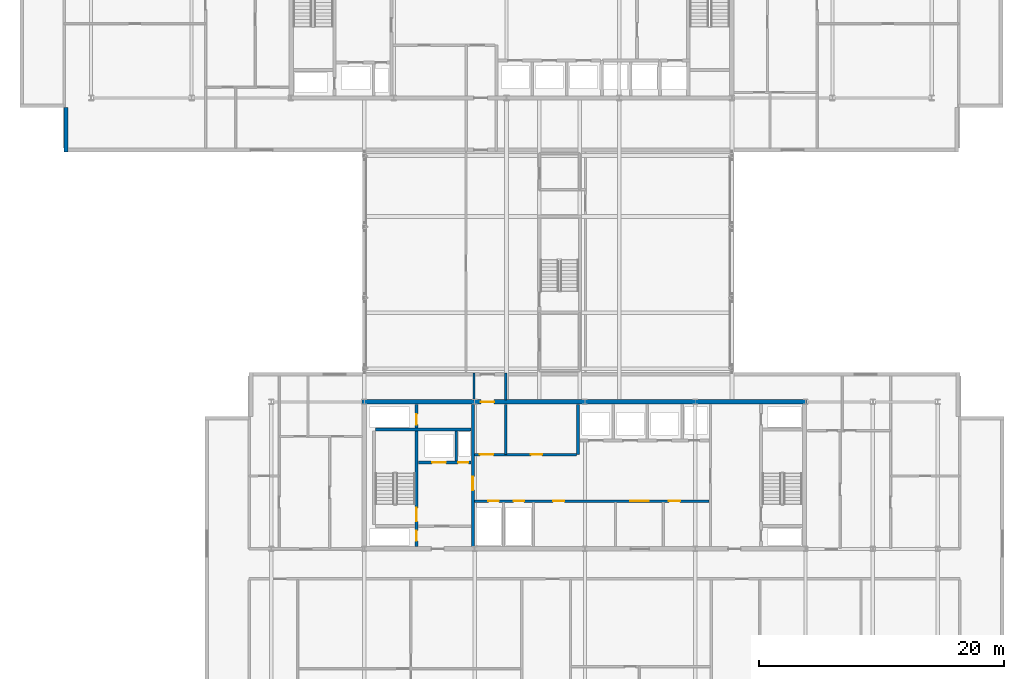
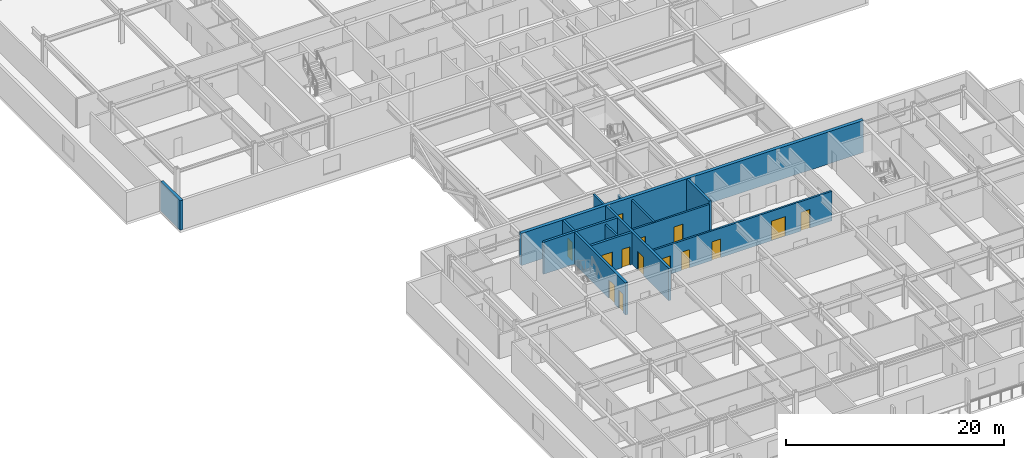
# One storey, part 20 of 36: 14 doors, 13 walls, 14 openings.
"""IFC4 building model written with IfcOpenShell, lengths in metres."""

from ifc_helpers import new_model, si_unit, direction, frame, frame_2d, origin, place, context, subcontext, project, spatial, rectangle, extrude, material, layer, layer_set, type_object, element, fill, save


model = new_model("IFC4")

# Units and contexts
model_context = context("Model", 3, precision=1e-05, world=origin(), true_north=direction((0.0, 1.0)))
body_context = subcontext(model_context, "Body", "Model", "MODEL_VIEW")
ifc_project = project(units=[si_unit("LENGTHUNIT", "METRE"), si_unit("AREAUNIT", "SQUARE_METRE"), si_unit("VOLUMEUNIT", "CUBIC_METRE"), si_unit("PLANEANGLEUNIT", "RADIAN"), si_unit("MASSUNIT", "GRAM", prefix="KILO")], contexts=[model_context])

# Site, building, storey
site_placement = place(None, origin())
site = spatial("IfcSite", under=ifc_project, at=site_placement, CompositionType="ELEMENT")
building_placement = place(site_placement, origin())
building = spatial("IfcBuilding", under=site, at=building_placement, Name="Korimba Cascade Residences", CompositionType="ELEMENT")
storey_placement = place(building_placement, frame((0.0, 0.0, 142.89990234375)))
storey = spatial("IfcBuildingStorey", under=building, at=storey_placement, Name="L41", CompositionType="ELEMENT", Elevation=142.89990234375)

# Wall
ifc_material_1 = material(Name="Precast concrete C40/50", Category="concrete")
ifc_layer_1 = layer(ifc_material_1, 0.300048828125)
ifc_layer_set_1 = layer_set([ifc_layer_1], Name="Precast concrete C40/50")
wall_type_1 = type_object("IfcWallType", Name="EW-STONE-300", PredefinedType="STANDARD", material=ifc_layer_set_1)
wall_1_placement = place(storey_placement, frame((57.75, 54.39990234375, 0.0), z_axis=(0.0, 0.0, 1.0), x_axis=(0.0, -1.0, 0.0)))
element("IfcWall", 1, at=wall_1_placement, inside=storey, type_object=wall_type_1, Name="L41 T1 Perimeter Stone Wall E11", PredefinedType="STANDARD", context=body_context, shape_type="SweptSolid", body=[
    extrude(rectangle(XDim=3.599853515625, YDim=0.300048828125, at=frame_2d((1.7998046875, 0.0))), origin(), (0.0, 0.0, 1.0), 3.31005859375),
])

# Wall, opening, door
ifc_material_2 = material(Name="Concrete C65/80", Category="concrete")
ifc_layer_2 = layer(ifc_material_2, 0.35009765625)
ifc_layer_set_2 = layer_set([ifc_layer_2], Name="Concrete C65/80")
wall_type_2 = type_object("IfcWallType", Name="WAL-CORE-350", PredefinedType="SHEAR", material=ifc_layer_set_2)
wall_2_placement = place(storey_placement, frame((81.925048828125, 30.39990234375, 0.0), z_axis=(0.0, 0.0, 1.0), x_axis=(1.0, 0.0, 0.0)))
wall_2 = element("IfcWall", 2, at=wall_2_placement, inside=storey, type_object=wall_type_2, Name="L41 Core Shear Wall CW-L41-T2-N", PredefinedType="SHEAR", context=body_context, shape_type="SweptSolid", body=[
    extrude(rectangle(XDim=36.264892578125, YDim=0.35009765625, at=frame_2d((18.13232421875, 0.0))), origin(), (0.0, 0.0, 1.0), 3.60009765625),
])
opening_1_placement = place(wall_2_placement, frame((9.675048828125, 0.0, 0.0)))
opening_1 = element("IfcOpeningElement", 3, at=opening_1_placement, cuts=wall_2, Name="Opening D-FD1", PredefinedType="OPENING", context=body_context, shape_type="SweptSolid", body=[
    extrude(rectangle(XDim=1.10009765625, YDim=2.10009765625, at=frame_2d((0.550048828125, 1.050048828125))), frame((0.0, 0.18505859375, 0.0), z_axis=(0.0, -1.0, 0.0), x_axis=(1.0, 0.0, 0.0)), (0.0, 0.0, 1.0), 0.3701171875),
])
ifc_material_3 = material(Name="Fire-Rated Steel Core Door", Category="steel")
door_type_1 = type_object("IfcDoorType", Name="DR-FD120-1100", OperationType="NOTDEFINED", PredefinedType="DOOR", material=ifc_material_3)
door_1_placement = place(opening_1_placement, origin())
door_1 = element("IfcDoor", 4, at=door_1_placement, inside=storey, type_object=door_type_1, Name="L41 Skybridge to T2 Core Fire Door", OperationType="SINGLE_SWING_LEFT", OverallHeight=2.10009765625, OverallWidth=1.10009765625, PredefinedType="DOOR", context=body_context, shape_type="SweptSolid", body=[
    extrude(rectangle(XDim=1.10009765625, YDim=2.10009765625, at=frame_2d((0.550048828125, 1.050048828125))), frame((0.0, 0.02490234375, 0.0), z_axis=(0.0, -1.0, 0.0), x_axis=(1.0, 0.0, 0.0)), (0.0, 0.0, 1.0), 0.050048828125),
])
fill(opening_1, door_1)

# Walls
ifc_material_4 = material(Name="Concrete C40/50", Category="concrete")
ifc_layer_3 = layer(ifc_material_4, 0.199951171875)
ifc_layer_set_3 = layer_set([ifc_layer_3], Name="Concrete C40/50")
wall_type_3 = type_object("IfcWallType", Name="WAL-PART-200", PredefinedType="PARTITIONING", material=ifc_layer_set_3)
wall_3_placement = place(storey_placement, frame((89.60009765625, 25.580078125, 0.0), z_axis=(0.0, 0.0, 1.0), x_axis=(0.0, 1.0, 0.0)))
element("IfcWall", 5, at=wall_3_placement, inside=storey, type_object=wall_type_3, Name="L41 Partition Wall CW-L41-T2-FFLDIV", PredefinedType="PARTITIONING", context=body_context, shape_type="SweptSolid", body=[
    extrude(rectangle(XDim=2.419921875, YDim=0.199951171875, at=frame_2d((1.2099609375, 0.0))), origin(), (0.0, 0.0, 1.0), 3.31005859375),
])
wall_4_placement = place(storey_placement, frame((93.64990234375, 26.10009765625, 0.0), z_axis=(0.0, 0.0, 1.0), x_axis=(0.0, 1.0, 0.0)))
element("IfcWall", 6, at=wall_4_placement, inside=storey, type_object=wall_type_3, Name="L41 Partition Wall CW-L41-T2-BRGPD", PredefinedType="PARTITIONING", context=body_context, shape_type="SweptSolid", body=[
    extrude(rectangle(XDim=4.099853515625, YDim=0.199951171875, at=frame_2d((2.0498046875, 0.0))), origin(), (0.0, 0.0, 1.0), 3.31005859375),
])

# Wall, openings, doors
wall_5_placement = place(storey_placement, frame((91.080078125, 26.10009765625, 0.0), z_axis=(0.0, 0.0, 1.0), x_axis=(1.0, 0.0, 0.0)))
wall_5 = element("IfcWall", 7, at=wall_5_placement, inside=storey, type_object=wall_type_3, Name="L41 Partition Wall CW-L41-T2-B1RS", PredefinedType="PARTITIONING", context=body_context, shape_type="SweptSolid", body=[
    extrude(rectangle(XDim=8.33984375, YDim=0.199951171875, at=frame_2d((4.169921875, 0.0))), origin(), (0.0, 0.0, 1.0), 3.31005859375),
])
opening_2_placement = place(wall_5_placement, frame((0.449951171875, 0.0, 0.0)))
opening_2 = element("IfcOpeningElement", 8, at=opening_2_placement, cuts=wall_5, Name="Opening D-FD1", PredefinedType="OPENING", context=body_context, shape_type="SweptSolid", body=[
    extrude(rectangle(XDim=1.10009765625, YDim=2.10009765625, at=frame_2d((0.550048828125, 1.050048828125))), frame((0.0, 0.10986328125, 0.0), z_axis=(0.0, -1.0, 0.0), x_axis=(1.0, 0.0, 0.0)), (0.0, 0.0, 1.0), 0.219970703125),
])
opening_3_placement = place(wall_5_placement, frame((4.60009765625, 0.0, 0.0)))
opening_3 = element("IfcOpeningElement", 9, at=opening_3_placement, cuts=wall_5, Name="Opening D-ST1", PredefinedType="OPENING", context=body_context, shape_type="SweptSolid", body=[
    extrude(rectangle(XDim=0.919921875, YDim=2.080078125, at=frame_2d((0.4599609375, 1.0400390625))), frame((0.0, 0.10986328125, 0.0), z_axis=(0.0, -1.0, 0.0), x_axis=(1.0, 0.0, 0.0)), (0.0, 0.0, 1.0), 0.219970703125),
])
door_2_placement = place(opening_2_placement, origin())
door_2 = element("IfcDoor", 10, at=door_2_placement, inside=storey, type_object=door_type_1, Name="L41 Skybridge Vestibule to T2 Lift Lobby Door", OperationType="SINGLE_SWING_RIGHT", OverallHeight=2.10009765625, OverallWidth=1.10009765625, PredefinedType="DOOR", context=body_context, shape_type="SweptSolid", body=[
    extrude(rectangle(XDim=1.10009765625, YDim=2.10009765625, at=frame_2d((0.550048828125, 1.050048828125))), frame((0.0, 0.02490234375, 0.0), z_axis=(0.0, -1.0, 0.0), x_axis=(1.0, 0.0, 0.0)), (0.0, 0.0, 1.0), 0.050048828125),
])
fill(opening_2, door_2)
ifc_material_5 = material(Name="Fire-Rated Core Store Door", Category="wood")
door_type_2 = type_object("IfcDoorType", Name="DR-FD60-920", OperationType="NOTDEFINED", PredefinedType="DOOR", material=ifc_material_5)
door_3_placement = place(opening_3_placement, origin())
door_3 = element("IfcDoor", 11, at=door_3_placement, inside=storey, type_object=door_type_2, Name="L41 T2 Resident Storage Door", OperationType="SINGLE_SWING_LEFT", OverallHeight=2.080078125, OverallWidth=0.919921875, PredefinedType="DOOR", context=body_context, shape_type="SweptSolid", body=[
    extrude(rectangle(XDim=0.919921875, YDim=2.080078125, at=frame_2d((0.4599609375, 1.0400390625))), frame((0.0, 0.02490234375, 0.0), z_axis=(0.0, -1.0, 0.0), x_axis=(1.0, 0.0, 0.0)), (0.0, 0.0, 1.0), 0.050048828125),
])
fill(opening_3, door_3)

wall_6_placement = place(storey_placement, frame((91.080078125, 22.300048828125, 0.0), z_axis=(0.0, 0.0, 1.0), x_axis=(1.0, 0.0, 0.0)))
wall_6 = element("IfcWall", 12, at=wall_6_placement, inside=storey, type_object=wall_type_3, Name="L41 Partition Wall CW-L41-T2-SRVROW", PredefinedType="PARTITIONING", context=body_context, shape_type="SweptSolid", body=[
    extrude(rectangle(XDim=19.139892578125, YDim=0.199951171875, at=frame_2d((9.56982421875, 0.0))), origin(), (0.0, 0.0, 1.0), 3.31005859375),
])
opening_4_placement = place(wall_6_placement, frame((1.14990234375, 0.0, 0.0)))
opening_4 = element("IfcOpeningElement", 13, at=opening_4_placement, cuts=wall_6, Name="Opening D-RS1", PredefinedType="OPENING", context=body_context, shape_type="SweptSolid", body=[
    extrude(rectangle(XDim=0.85009765625, YDim=2.050048828125, at=frame_2d((0.425048828125, 1.02490234375))), frame((0.0, 0.10986328125, 0.0), z_axis=(0.0, -1.0, 0.0), x_axis=(1.0, 0.0, 0.0)), (0.0, 0.0, 1.0), 0.219970703125),
])
opening_5_placement = place(wall_6_placement, frame((3.199951171875, 0.0, 0.0)))
opening_5 = element("IfcOpeningElement", 14, at=opening_5_placement, cuts=wall_6, Name="Opening D-RS1", PredefinedType="OPENING", context=body_context, shape_type="SweptSolid", body=[
    extrude(rectangle(XDim=0.85009765625, YDim=2.050048828125, at=frame_2d((0.425048828125, 1.02490234375))), frame((0.0, 0.10986328125, 0.0), z_axis=(0.0, -1.0, 0.0), x_axis=(1.0, 0.0, 0.0)), (0.0, 0.0, 1.0), 0.219970703125),
])
opening_6_placement = place(wall_6_placement, frame((12.719970703125, 0.0, 0.0)))
opening_6 = element("IfcOpeningElement", 15, at=opening_6_placement, cuts=wall_6, Name="Opening D-FD8", PredefinedType="OPENING", context=body_context, shape_type="SweptSolid", body=[
    extrude(rectangle(XDim=1.5, YDim=2.199951171875, at=frame_2d((0.75, 1.10009765625))), frame((0.0, 0.10986328125, 0.0), z_axis=(0.0, -1.0, 0.0), x_axis=(1.0, 0.0, 0.0)), (0.0, 0.0, 1.0), 0.219970703125),
])
opening_7_placement = place(wall_6_placement, frame((6.419921875, 0.0, 0.0)))
opening_7 = element("IfcOpeningElement", 16, at=opening_7_placement, cuts=wall_6, Name="Opening D-IN1", PredefinedType="OPENING", context=body_context, shape_type="SweptSolid", body=[
    extrude(rectangle(XDim=0.919921875, YDim=2.080078125, at=frame_2d((0.4599609375, 1.0400390625))), frame((0.0, 0.10986328125, 0.0), z_axis=(0.0, -1.0, 0.0), x_axis=(1.0, 0.0, 0.0)), (0.0, 0.0, 1.0), 0.219970703125),
])
opening_8_placement = place(wall_6_placement, frame((15.8701171875, 0.0, 0.0)))
opening_8 = element("IfcOpeningElement", 17, at=opening_8_placement, cuts=wall_6, Name="Opening D-IN1", PredefinedType="OPENING", context=body_context, shape_type="SweptSolid", body=[
    extrude(rectangle(XDim=0.919921875, YDim=2.080078125, at=frame_2d((0.4599609375, 1.0400390625))), frame((0.0, 0.10986328125, 0.0), z_axis=(0.0, -1.0, 0.0), x_axis=(1.0, 0.0, 0.0)), (0.0, 0.0, 1.0), 0.219970703125),
])
ifc_material_6 = material(Name="Fire-Rated Steel Riser Access Door", Category="steel")
door_type_3 = type_object("IfcDoorType", Name="DR-FD60-850", OperationType="NOTDEFINED", PredefinedType="DOOR", material=ifc_material_6)
door_4_placement = place(opening_4_placement, origin())
door_4 = element("IfcDoor", 18, at=door_4_placement, inside=storey, type_object=door_type_3, Name="L41 T2 Electrical Riser Door", OperationType="SINGLE_SWING_LEFT", OverallHeight=2.050048828125, OverallWidth=0.85009765625, PredefinedType="DOOR", context=body_context, shape_type="SweptSolid", body=[
    extrude(rectangle(XDim=0.85009765625, YDim=2.050048828125, at=frame_2d((0.425048828125, 1.02490234375))), frame((0.0, 0.02490234375, 0.0), z_axis=(0.0, -1.0, 0.0), x_axis=(1.0, 0.0, 0.0)), (0.0, 0.0, 1.0), 0.050048828125),
])
fill(opening_4, door_4)
door_5_placement = place(opening_5_placement, origin())
door_5 = element("IfcDoor", 19, at=door_5_placement, inside=storey, type_object=door_type_3, Name="L41 T2 Plumbing Riser Door", OperationType="SINGLE_SWING_RIGHT", OverallHeight=2.050048828125, OverallWidth=0.85009765625, PredefinedType="DOOR", context=body_context, shape_type="SweptSolid", body=[
    extrude(rectangle(XDim=0.85009765625, YDim=2.050048828125, at=frame_2d((0.425048828125, 1.02490234375))), frame((0.0, 0.02490234375, 0.0), z_axis=(0.0, -1.0, 0.0), x_axis=(1.0, 0.0, 0.0)), (0.0, 0.0, 1.0), 0.050048828125),
])
fill(opening_5, door_5)
ifc_material_7 = material(Name="Fire-Rated Glazed Lift Lobby Double Door", Category="glass")
door_type_4 = type_object("IfcDoorType", Name="DR-FD90-1500", OperationType="NOTDEFINED", PredefinedType="DOOR", material=ifc_material_7)
door_6_placement = place(opening_6_placement, origin())
door_6 = element("IfcDoor", 20, at=door_6_placement, inside=storey, type_object=door_type_4, Name="L41 T2 Lift Lobby Foyer Door", OperationType="DOUBLE_DOOR_SINGLE_SWING", OverallHeight=2.199951171875, OverallWidth=1.5, PredefinedType="DOOR", context=body_context, shape_type="SweptSolid", body=[
    extrude(rectangle(XDim=1.5, YDim=2.199951171875, at=frame_2d((0.75, 1.10009765625))), frame((0.0, 0.02490234375, 0.0), z_axis=(0.0, -1.0, 0.0), x_axis=(1.0, 0.0, 0.0)), (0.0, 0.0, 1.0), 0.050048828125),
])
fill(opening_6, door_6)
ifc_material_8 = material(Name="Acoustic Timber Living Door", Category="wood")
door_type_5 = type_object("IfcDoorType", Name="DR-INT-920", OperationType="NOTDEFINED", PredefinedType="DOOR", material=ifc_material_8)
door_7_placement = place(opening_7_placement, origin())
door_7 = element("IfcDoor", 21, at=door_7_placement, inside=storey, type_object=door_type_5, Name="L41 T2 Housekeeping Door", OperationType="SINGLE_SWING_LEFT", OverallHeight=2.080078125, OverallWidth=0.919921875, PredefinedType="DOOR", context=body_context, shape_type="SweptSolid", body=[
    extrude(rectangle(XDim=0.919921875, YDim=2.080078125, at=frame_2d((0.4599609375, 1.0400390625))), frame((0.0, 0.02490234375, 0.0), z_axis=(0.0, -1.0, 0.0), x_axis=(1.0, 0.0, 0.0)), (0.0, 0.0, 1.0), 0.050048828125),
])
fill(opening_7, door_7)
door_8_placement = place(opening_8_placement, origin())
door_8 = element("IfcDoor", 22, at=door_8_placement, inside=storey, type_object=door_type_5, Name="L41 T2 Store Door", OperationType="SINGLE_SWING_RIGHT", OverallHeight=2.080078125, OverallWidth=0.919921875, PredefinedType="DOOR", context=body_context, shape_type="SweptSolid", body=[
    extrude(rectangle(XDim=0.919921875, YDim=2.080078125, at=frame_2d((0.4599609375, 1.0400390625))), frame((0.0, 0.02490234375, 0.0), z_axis=(0.0, -1.0, 0.0), x_axis=(1.0, 0.0, 0.0)), (0.0, 0.0, 1.0), 0.050048828125),
])
fill(opening_8, door_8)

# Walls
wall_7_placement = place(storey_placement, frame((91.050048828125, 30.550048828125, 0.0), z_axis=(0.0, 0.0, 1.0), x_axis=(0.0, 1.0, 0.0)))
element("IfcWall", 23, at=wall_7_placement, inside=storey, type_object=wall_type_3, Name="L41 Partition Wall WAL-L41-T2-NBRGW", PredefinedType="PARTITIONING", context=body_context, shape_type="SweptSolid", body=[
    extrude(rectangle(XDim=2.199951171875, YDim=0.199951171875, at=frame_2d((1.10009765625, 0.0))), origin(), (0.0, 0.0, 1.0), 3.31005859375),
])
wall_8_placement = place(storey_placement, frame((93.64990234375, 30.550048828125, 0.0), z_axis=(0.0, 0.0, 1.0), x_axis=(0.0, 1.0, 0.0)))
element("IfcWall", 24, at=wall_8_placement, inside=storey, type_object=wall_type_3, Name="L41 Partition Wall WAL-L41-T2-NBRGE", PredefinedType="PARTITIONING", context=body_context, shape_type="SweptSolid", body=[
    extrude(rectangle(XDim=2.199951171875, YDim=0.199951171875, at=frame_2d((1.10009765625, 0.0))), origin(), (0.0, 0.0, 1.0), 2.383544921875),
])

# Wall, openings, doors
ifc_material_9 = material(Name="Concrete C50/60", Category="concrete")
ifc_layer_4 = layer(ifc_material_9, 0.25)
ifc_layer_set_4 = layer_set([ifc_layer_4], Name="Concrete C50/60")
wall_type_4 = type_object("IfcWallType", Name="WAL-SHAFT-250", PredefinedType="SHEAR", material=ifc_layer_set_4)
wall_9_placement = place(storey_placement, frame((86.364990234375, 18.60009765625, 0.0), z_axis=(0.0, 0.0, 1.0), x_axis=(0.0, 1.0, 0.0)))
wall_9 = element("IfcWall", 25, at=wall_9_placement, inside=storey, type_object=wall_type_4, Name="L41 Core Shear Wall CW-L41-T2-STE1E", PredefinedType="SHEAR", context=body_context, shape_type="SweptSolid", body=[
    extrude(rectangle(XDim=11.599853515625, YDim=0.25, at=frame_2d((5.7998046875, 0.0))), origin(), (0.0, 0.0, 1.0), 3.60009765625),
])
opening_9_placement = place(wall_9_placement, frame((0.449951171875, 0.0, 0.0)))
opening_9 = element("IfcOpeningElement", 26, at=opening_9_placement, cuts=wall_9, Name="Opening D-RS1", PredefinedType="OPENING", context=body_context, shape_type="SweptSolid", body=[
    extrude(rectangle(XDim=0.85009765625, YDim=2.050048828125, at=frame_2d((0.425048828125, 1.02490234375))), frame((0.0, 0.135009765625, 0.0), z_axis=(0.0, -1.0, 0.0), x_axis=(1.0, 0.0, 0.0)), (0.0, 0.0, 1.0), 0.27001953125),
])
opening_10_placement = place(wall_9_placement, frame((2.050048828125, 0.0, 0.0)))
opening_10 = element("IfcOpeningElement", 27, at=opening_10_placement, cuts=wall_9, Name="Opening D-FD1", PredefinedType="OPENING", context=body_context, shape_type="SweptSolid", body=[
    extrude(rectangle(XDim=1.10009765625, YDim=2.10009765625, at=frame_2d((0.550048828125, 1.050048828125))), frame((0.0, 0.135009765625, 0.0), z_axis=(0.0, -1.0, 0.0), x_axis=(1.0, 0.0, 0.0)), (0.0, 0.0, 1.0), 0.27001953125),
])
opening_11_placement = place(wall_9_placement, frame((9.949951171875, 0.0, 0.0)))
opening_11 = element("IfcOpeningElement", 28, at=opening_11_placement, cuts=wall_9, Name="Opening D-RS1", PredefinedType="OPENING", context=body_context, shape_type="SweptSolid", body=[
    extrude(rectangle(XDim=0.85009765625, YDim=2.050048828125, at=frame_2d((0.425048828125, 1.02490234375))), frame((0.0, 0.135009765625, 0.0), z_axis=(0.0, -1.0, 0.0), x_axis=(1.0, 0.0, 0.0)), (0.0, 0.0, 1.0), 0.27001953125),
])
door_9_placement = place(opening_10_placement, origin())
door_9 = element("IfcDoor", 29, at=door_9_placement, inside=storey, type_object=door_type_1, Name="L41 Fire Stair ST-E1 Door", OperationType="SINGLE_SWING_LEFT", OverallHeight=2.10009765625, OverallWidth=1.10009765625, PredefinedType="DOOR", context=body_context, shape_type="SweptSolid", body=[
    extrude(rectangle(XDim=1.10009765625, YDim=2.10009765625, at=frame_2d((0.550048828125, 1.050048828125))), frame((0.0, 0.02490234375, 0.0), z_axis=(0.0, -1.0, 0.0), x_axis=(1.0, 0.0, 0.0)), (0.0, 0.0, 1.0), 0.050048828125),
])
fill(opening_10, door_9)
door_10_placement = place(opening_9_placement, origin())
door_10 = element("IfcDoor", 30, at=door_10_placement, inside=storey, type_object=door_type_3, Name="L41 T2 Hydrant Riser Door", OperationType="SINGLE_SWING_RIGHT", OverallHeight=2.050048828125, OverallWidth=0.85009765625, PredefinedType="DOOR", context=body_context, shape_type="SweptSolid", body=[
    extrude(rectangle(XDim=0.85009765625, YDim=2.050048828125, at=frame_2d((0.425048828125, 1.02490234375))), frame((0.0, 0.02490234375, 0.0), z_axis=(0.0, -1.0, 0.0), x_axis=(1.0, 0.0, 0.0)), (0.0, 0.0, 1.0), 0.050048828125),
])
fill(opening_9, door_10)
door_11_placement = place(opening_11_placement, origin())
door_11 = element("IfcDoor", 31, at=door_11_placement, inside=storey, type_object=door_type_3, Name="L41 T2 Smoke Shaft Door", OperationType="SINGLE_SWING_RIGHT", OverallHeight=2.050048828125, OverallWidth=0.85009765625, PredefinedType="DOOR", context=body_context, shape_type="SweptSolid", body=[
    extrude(rectangle(XDim=0.85009765625, YDim=2.050048828125, at=frame_2d((0.425048828125, 1.02490234375))), frame((0.0, 0.02490234375, 0.0), z_axis=(0.0, -1.0, 0.0), x_axis=(1.0, 0.0, 0.0)), (0.0, 0.0, 1.0), 0.050048828125),
])
fill(opening_11, door_11)

# Wall
wall_10_placement = place(storey_placement, frame((83.0, 28.125, 0.0), z_axis=(0.0, 0.0, 1.0), x_axis=(1.0, 0.0, 0.0)))
element("IfcWall", 32, at=wall_10_placement, inside=storey, type_object=wall_type_4, Name="L41 Core Shear Wall CW-L41-T2-STE1N", PredefinedType="SHEAR", context=body_context, shape_type="SweptSolid", body=[
    extrude(rectangle(XDim=7.820068359375, YDim=0.25, at=frame_2d((3.91015625, 0.0))), origin(), (0.0, 0.0, 1.0), 3.60009765625),
])

# Wall, openings, doors
wall_11_placement = place(storey_placement, frame((86.5, 25.449951171875, 0.0), z_axis=(0.0, 0.0, 1.0), x_axis=(1.0, 0.0, 0.0)))
wall_11 = element("IfcWall", 33, at=wall_11_placement, inside=storey, type_object=wall_type_4, Name="L41 Core Shear Wall CW-L41-T2-FFLN", PredefinedType="SHEAR", context=body_context, shape_type="SweptSolid", body=[
    extrude(rectangle(XDim=4.320068359375, YDim=0.25, at=frame_2d((2.16015625, 0.0))), origin(), (0.0, 0.0, 1.0), 3.60009765625),
])
opening_12_placement = place(wall_11_placement, frame((1.139892578125, 0.0, 0.0)))
opening_12 = element("IfcOpeningElement", 34, at=opening_12_placement, cuts=wall_11, Name="Opening LD-01", PredefinedType="OPENING", context=body_context, shape_type="SweptSolid", body=[
    extrude(rectangle(XDim=1.1201171875, YDim=2.1201171875, at=frame_2d((0.56005859375, 1.06005859375))), frame((0.0, 0.135009765625, 0.0), z_axis=(0.0, -1.0, 0.0), x_axis=(1.0, 0.0, 0.0)), (0.0, 0.0, 1.0), 0.27001953125),
])
opening_13_placement = place(wall_11_placement, frame((3.25, 0.0, 0.0)))
opening_13 = element("IfcOpeningElement", 35, at=opening_13_placement, cuts=wall_11, Name="Opening D-RS1", PredefinedType="OPENING", context=body_context, shape_type="SweptSolid", body=[
    extrude(rectangle(XDim=0.85009765625, YDim=2.050048828125, at=frame_2d((0.425048828125, 1.02490234375))), frame((0.0, 0.135009765625, 0.0), z_axis=(0.0, -1.0, 0.0), x_axis=(1.0, 0.0, 0.0)), (0.0, 0.0, 1.0), 0.27001953125),
])
door_12_placement = place(opening_13_placement, origin())
door_12 = element("IfcDoor", 36, at=door_12_placement, inside=storey, type_object=door_type_3, Name="L41 T2 Pressurisation Riser Door", OperationType="SINGLE_SWING_LEFT", OverallHeight=2.050048828125, OverallWidth=0.85009765625, PredefinedType="DOOR", context=body_context, shape_type="SweptSolid", body=[
    extrude(rectangle(XDim=0.85009765625, YDim=2.050048828125, at=frame_2d((0.425048828125, 1.02490234375))), frame((0.0, 0.02490234375, 0.0), z_axis=(0.0, -1.0, 0.0), x_axis=(1.0, 0.0, 0.0)), (0.0, 0.0, 1.0), 0.050048828125),
])
fill(opening_13, door_12)
ifc_material_10 = material(Name="Stainless Steel Lift Landing Sliding Door", Category="steel")
door_type_6 = type_object("IfcDoorType", Name="DR-LIFT-1100", OperationType="NOTDEFINED", PredefinedType="DOOR", material=ifc_material_10)
door_13_placement = place(opening_12_placement, origin())
door_13 = element("IfcDoor", 37, at=door_13_placement, inside=storey, type_object=door_type_6, Name="L41 Firefighting Lift Landing Door FFL-E1", OperationType="SLIDING_TO_RIGHT", OverallHeight=2.1201171875, OverallWidth=1.1201171875, PredefinedType="DOOR", context=body_context, shape_type="SweptSolid", body=[
    extrude(rectangle(XDim=1.1201171875, YDim=2.1201171875, at=frame_2d((0.56005859375, 1.06005859375))), frame((0.0, 0.02490234375, 0.0), z_axis=(0.0, -1.0, 0.0), x_axis=(1.0, 0.0, 0.0)), (0.0, 0.0, 1.0), 0.050048828125),
])
fill(opening_12, door_13)

# Wall, opening, door
wall_12_placement = place(storey_placement, frame((90.949951171875, 18.60009765625, 0.0), z_axis=(0.0, 0.0, 1.0), x_axis=(0.0, 1.0, 0.0)))
wall_12 = element("IfcWall", 38, at=wall_12_placement, inside=storey, type_object=wall_type_4, Name="L41 Core Shear Wall CW-L41-T2-FFLE", PredefinedType="SHEAR", context=body_context, shape_type="SweptSolid", body=[
    extrude(rectangle(XDim=11.599853515625, YDim=0.25, at=frame_2d((5.7998046875, 0.0))), origin(), (0.0, 0.0, 1.0), 3.60009765625),
])
opening_14_placement = place(wall_12_placement, frame((4.60009765625, 0.0, 0.0)))
opening_14 = element("IfcOpeningElement", 39, at=opening_14_placement, cuts=wall_12, Name="Opening D-FD1", PredefinedType="OPENING", context=body_context, shape_type="SweptSolid", body=[
    extrude(rectangle(XDim=1.10009765625, YDim=2.10009765625, at=frame_2d((0.550048828125, 1.050048828125))), frame((0.0, 0.135009765625, 0.0), z_axis=(0.0, -1.0, 0.0), x_axis=(1.0, 0.0, 0.0)), (0.0, 0.0, 1.0), 0.27001953125),
])
door_14_placement = place(opening_14_placement, origin())
door_14 = element("IfcDoor", 40, at=door_14_placement, inside=storey, type_object=door_type_1, Name="L41 T2 Firefighting Lobby to Lift Lobby Door", OperationType="SINGLE_SWING_LEFT", OverallHeight=2.10009765625, OverallWidth=1.10009765625, PredefinedType="DOOR", context=body_context, shape_type="SweptSolid", body=[
    extrude(rectangle(XDim=1.10009765625, YDim=2.10009765625, at=frame_2d((0.550048828125, 1.050048828125))), frame((0.0, 0.02490234375, 0.0), z_axis=(0.0, -1.0, 0.0), x_axis=(1.0, 0.0, 0.0)), (0.0, 0.0, 1.0), 0.050048828125),
])
fill(opening_14, door_14)

# Wall
wall_13_placement = place(storey_placement, frame((99.550048828125, 26.10009765625, 0.0), z_axis=(0.0, 0.0, 1.0), x_axis=(0.0, 1.0, 0.0)))
element("IfcWall", 41, at=wall_13_placement, inside=storey, type_object=wall_type_4, Name="L41 Core Shear Wall CW-L41-T2-B12DIV", PredefinedType="SHEAR", context=body_context, shape_type="SweptSolid", body=[
    extrude(rectangle(XDim=4.099853515625, YDim=0.25, at=frame_2d((2.0498046875, 0.0))), origin(), (0.0, 0.0, 1.0), 3.60009765625),
])

save(model, "model.ifc")
